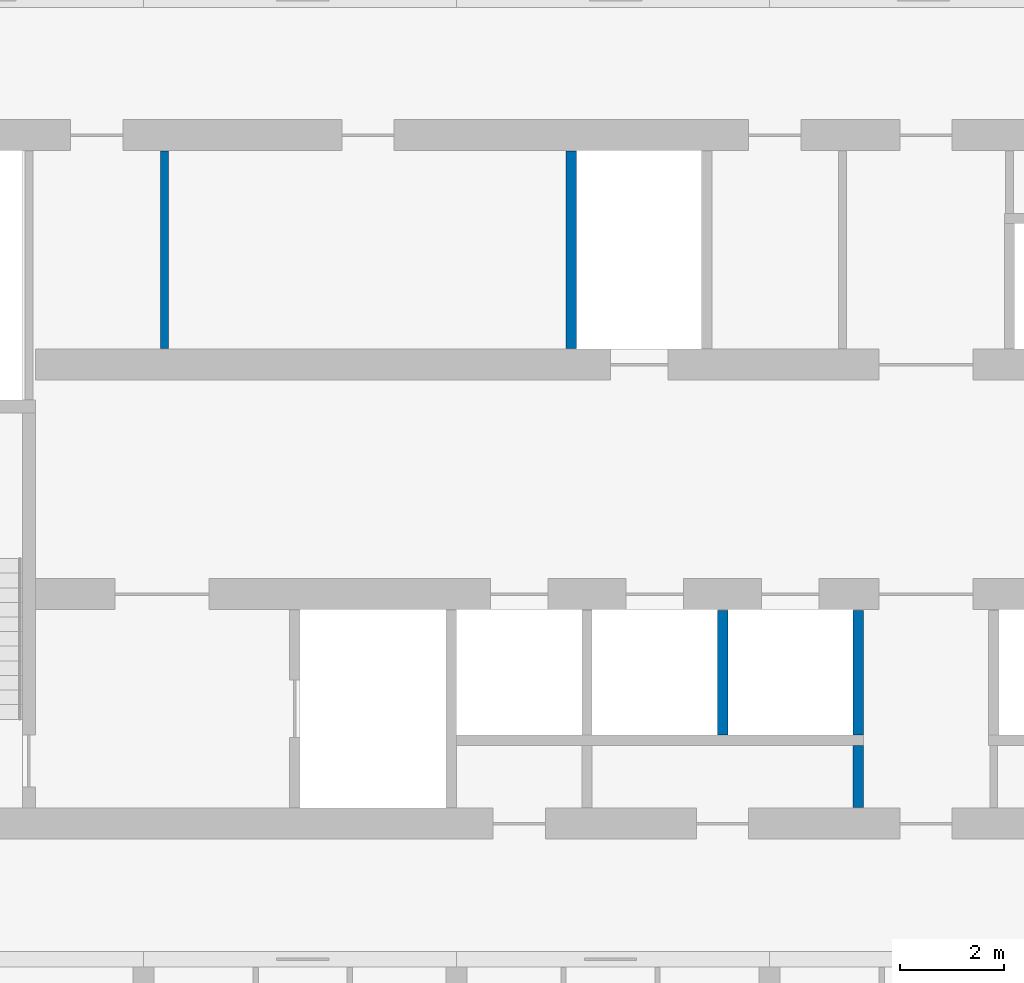
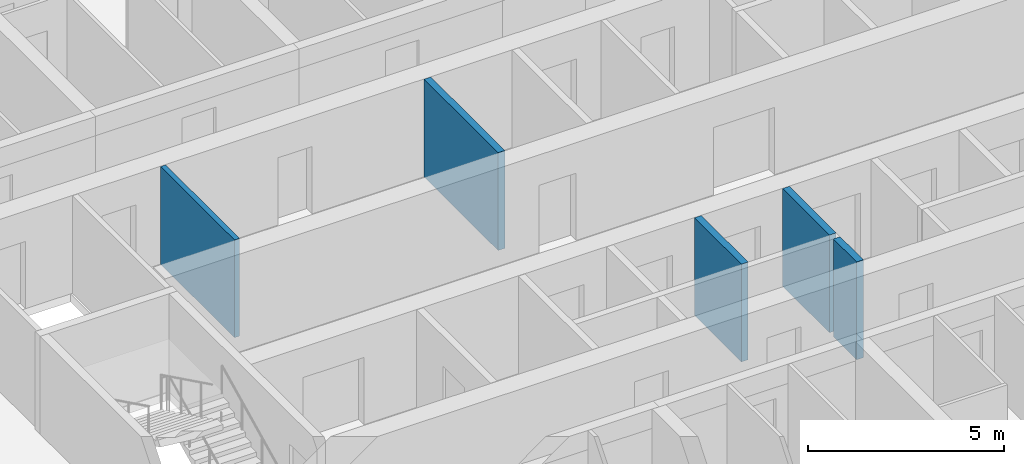
# One storey, part 7 of 23: 5 walls.
"""IFC4 building model written with IfcOpenShell, lengths in metres."""

import ifcopenshell
import ifcopenshell.guid

model = None  # the IFC model being written
_history = None  # IfcOwnerHistory: only IFC2X3 demands one
_inside = {}  # id of a spatial element -> (the spatial element, [elements in it])
_under = {}  # id of a project, library or spatial element -> (it, [spatial elements below it])
_declared = {}  # id of a project -> (the project, [libraries it declares])
_typed = {}  # id of a type object -> (the type object, [elements of that type])
_made_of = {}  # id of a material, layer set ... -> (it, [elements and type objects made of it])


def new_model(schema):
    """Start an empty IFC model of exactly this schema.

    Asked for "IFC4X3", IfcOpenShell would pick the latest addendum, in which some entities
    have other attributes; the version numbers below select the first issue.
    IFC2X3 requires an IfcOwnerHistory on every rooted entity: one is made here for all.
    """
    global model, _history
    if schema == "IFC4X3":
        model = ifcopenshell.file(schema_version=(4, 3, 0, 0))
    else:
        model = ifcopenshell.file(schema=schema)
    _inside.clear()
    _under.clear()
    _declared.clear()
    _typed.clear()
    _made_of.clear()
    _history = None
    if model.schema == "IFC2X3":
        org = make("IfcOrganization", Name="unknown")
        user = make(
            "IfcPersonAndOrganization",
            ThePerson=make("IfcPerson", FamilyName="unknown"),
            TheOrganization=org,
        )
        app = make(
            "IfcApplication",
            ApplicationDeveloper=org,
            Version="unknown",
            ApplicationFullName="unknown",
            ApplicationIdentifier="unknown",
        )
        _history = make(
            "IfcOwnerHistory",
            OwningUser=user,
            OwningApplication=app,
            ChangeAction="ADDED",
            CreationDate=0,
        )
    return model


def make(cls, **values):
    """One entity of the class cls with the attributes given. An attribute that is None is left unset."""
    return model.create_entity(
        cls, **{name: value for name, value in values.items() if value is not None}
    )


def rooted(cls, **values):
    """An entity with a GlobalId (a new one), such as an element, a storey or a relation."""
    return make(cls, GlobalId=ifcopenshell.guid.new(), OwnerHistory=_history, **values)


def si_unit(unit_type, name, prefix=None):
    """IfcSIUnit, for example si_unit("LENGTHUNIT", "METRE", prefix="MILLI")."""
    return make("IfcSIUnit", UnitType=unit_type, Prefix=prefix, Name=name)


def assignment(units):
    """IfcUnitAssignment: the units of a project."""
    return None if units is None else make("IfcUnitAssignment", Units=units)


def point(xyz):
    """IfcCartesianPoint."""
    return None if xyz is None else make("IfcCartesianPoint", Coordinates=xyz)


def direction(xyz):
    """IfcDirection."""
    return None if xyz is None else make("IfcDirection", DirectionRatios=xyz)


def frame(location, z_axis=None, x_axis=None):
    """IfcAxis2Placement3D, a coordinate frame: its origin and axes. An axis left out is left unset."""
    return make(
        "IfcAxis2Placement3D",
        Location=point(location),
        Axis=direction(z_axis),
        RefDirection=direction(x_axis),
    )


def frame_2d(location, x_axis=None):
    """IfcAxis2Placement2D, a coordinate frame in the plane: its origin and x axis."""
    return make(
        "IfcAxis2Placement2D", Location=point(location), RefDirection=direction(x_axis)
    )


def origin():
    """The frame at (0, 0, 0) with its axes left unset."""
    return frame((0.0, 0.0, 0.0))


def place(relative_to, where):
    """IfcLocalPlacement: puts the frame where relative to a parent placement (None: the world)."""
    return make(
        "IfcLocalPlacement", PlacementRelTo=relative_to, RelativePlacement=where
    )


def context(
    kind, dimensions, precision=None, world=None, true_north=None, identifier=None
):
    """IfcGeometricRepresentationContext, for example the 3D "Model" context."""
    return make(
        "IfcGeometricRepresentationContext",
        ContextIdentifier=identifier,
        ContextType=kind,
        CoordinateSpaceDimension=dimensions,
        Precision=precision,
        WorldCoordinateSystem=world,
        TrueNorth=true_north,
    )


def subcontext(parent, identifier, kind, view, scale=None):
    """IfcGeometricRepresentationSubContext, for example "Body" below "Model"."""
    return make(
        "IfcGeometricRepresentationSubContext",
        ContextIdentifier=identifier,
        ContextType=kind,
        ParentContext=parent,
        TargetScale=scale,
        TargetView=view,
    )


def project(units=None, contexts=None):
    """IfcProject with its units and contexts."""
    return rooted(
        "IfcProject",
        Name="project",
        RepresentationContexts=contexts,
        UnitsInContext=assignment(units),
    )


def spatial(cls, under=None, at=None, **own):
    """A site, building, storey or space (cls), placed at a placement, below another one or the project."""
    s = rooted(cls, ObjectPlacement=at, **own)
    if under is not None:
        _under.setdefault(under.id(), (under, []))[1].append(s)
    return s


def profile(cls, at=None, kind="AREA", **sizes):
    """A parametric profile (cls). Its sizes go by their IFC names, for example OverallWidth=200.0."""
    return make(cls, ProfileType=kind, Position=at, **sizes)


def rectangle(**sizes):
    """IfcRectangleProfileDef."""
    return profile("IfcRectangleProfileDef", **sizes)


def extrude(swept, where, along, depth):
    """IfcExtrudedAreaSolid: the profile swept, set in the frame where, extruded along a direction by depth."""
    return make(
        "IfcExtrudedAreaSolid",
        SweptArea=swept,
        Position=where,
        ExtrudedDirection=direction(along),
        Depth=depth,
    )


def shape(context_of_items, identifier, shape_type, items):
    """IfcShapeRepresentation: the items that make up one representation, for example the "Body"."""
    return make(
        "IfcShapeRepresentation",
        ContextOfItems=context_of_items,
        RepresentationIdentifier=identifier,
        RepresentationType=shape_type,
        Items=items,
    )


def material(Name=None, Category=None):
    """IfcMaterial."""
    return make("IfcMaterial", Name=Name, Category=Category)


def layer(
    of_material, thickness, ventilated=None, Name=None, Category=None, Priority=None
):
    """IfcMaterialLayer: one layer of a wall or slab, of a material (None: an air gap)."""
    return make(
        "IfcMaterialLayer",
        Material=of_material,
        LayerThickness=thickness,
        IsVentilated=ventilated,
        Name=Name,
        Category=Category,
        Priority=Priority,
    )


def layer_set(layers, Name=None):
    """IfcMaterialLayerSet."""
    return make("IfcMaterialLayerSet", MaterialLayers=layers, LayerSetName=Name)


def made_of(thing, what):
    """Note that an element or type object is made of a material, layer set ...; save() writes the relation."""
    if what is not None:
        _made_of.setdefault(what.id(), (what, []))[1].append(thing)
    return thing


def type_object(cls, material=None, **own):
    """A type object (cls), such as IfcWallType, which elements share."""
    return made_of(rooted(cls, **own), material)


def element(
    cls,
    number,
    at=None,
    inside=None,
    cuts=None,
    type_object=None,
    material=None,
    context=None,
    identifier="Body",
    shape_type=None,
    held_by="IfcProductDefinitionShape",
    body=None,
    shapes=None,
    **own,
):
    """One element of the class cls, such as IfcWall. Its Tag is "e" and its number.

    at: its placement. inside: the storey or other place that contains it. cuts: it is an
    opening in that element (IfcRelVoidsElement). A single representation is given by context,
    identifier, shape_type and body (its items); several are given by shapes. held_by: the class
    of the entity that holds the representations. save() writes the other relations.
    """
    e = rooted(cls, Tag="e%d" % number, ObjectPlacement=at, **own)
    if body is not None:
        shapes = [shape(context, identifier, shape_type, body)]
    if shapes is not None:
        e.Representation = make(held_by, Representations=shapes)
    if inside is not None:
        _inside.setdefault(inside.id(), (inside, []))[1].append(e)
    if cuts is not None:
        rooted(
            "IfcRelVoidsElement", RelatingBuildingElement=cuts, RelatedOpeningElement=e
        )
    if type_object is not None:
        _typed.setdefault(type_object.id(), (type_object, []))[1].append(e)
    return made_of(e, material)


def aggregate(whole, parts):
    """IfcRelAggregates: a whole, such as a stair, and the parts it consists of."""
    return rooted("IfcRelAggregates", RelatingObject=whole, RelatedObjects=parts)


def save(model, path):
    """Write the relations noted so far, then the file.

    IfcRelAggregates (storeys below a building ...), IfcRelContainedInSpatialStructure (elements
    in a storey), IfcRelDefinesByType, IfcRelAssociatesMaterial and IfcRelDeclares: one each for
    every whole, place, type object, material and project.
    """
    for whole, parts in _under.values():
        aggregate(whole, parts)
    for where, things in _inside.values():
        rooted(
            "IfcRelContainedInSpatialStructure",
            RelatedElements=things,
            RelatingStructure=where,
        )
    for kind, things in _typed.values():
        rooted("IfcRelDefinesByType", RelatedObjects=things, RelatingType=kind)
    for what, things in _made_of.values():
        rooted("IfcRelAssociatesMaterial", RelatedObjects=things, RelatingMaterial=what)
    for by, libraries in _declared.values():
        rooted("IfcRelDeclares", RelatingContext=by, RelatedDefinitions=libraries)
    model.write(path)


model = new_model("IFC4")

# Units and contexts
model_context = context("Model", 3, precision=1e-05, world=origin(), true_north=direction((0.0, 1.0)))
body_context = subcontext(model_context, "Body", "Model", "MODEL_VIEW")
ifc_project = project(units=[si_unit("LENGTHUNIT", "METRE"), si_unit("AREAUNIT", "SQUARE_METRE"), si_unit("VOLUMEUNIT", "CUBIC_METRE"), si_unit("PLANEANGLEUNIT", "RADIAN"), si_unit("MASSUNIT", "GRAM", prefix="KILO")], contexts=[model_context])

# Site, building, storey
site_placement = place(None, origin())
site = spatial("IfcSite", under=ifc_project, at=site_placement, CompositionType="ELEMENT")
building_placement = place(site_placement, origin())
building = spatial("IfcBuilding", under=site, at=building_placement, Name="Poui Terraces", CompositionType="ELEMENT")
storey_placement = place(building_placement, frame((0.0, 0.0, 23.39990234375)))
storey = spatial("IfcBuildingStorey", under=building, at=storey_placement, Name="L05", CompositionType="ELEMENT", Elevation=23.39990234375)

# Walls
ifc_material_1 = material(Name="Plasterboard partition")
ifc_layer_1 = layer(ifc_material_1, 0.14990234375)
ifc_layer_set_1 = layer_set([ifc_layer_1], Name="Plasterboard partition")
wall_type_1 = type_object("IfcWallType", Name="PARTITION WALL 150", PredefinedType="PARTITIONING", material=ifc_layer_set_1)
wall_1_placement = place(storey_placement, frame((36.39990234375, 23.7099609375, 0.0), z_axis=(0.0, 0.0, 1.0), x_axis=(0.0, 1.0, 0.0)))
element("IfcWall", 1, at=wall_1_placement, inside=storey, type_object=wall_type_1, Name="PARTITION WALL 150", PredefinedType="PARTITIONING", context=body_context, shape_type="SweptSolid", body=[
    extrude(rectangle(XDim=3.780029296875, YDim=0.14990234375, at=frame_2d((1.89013671875, 0.0))), origin(), (0.0, 0.0, 1.0), 3.050048828125),
])
ifc_material_2 = material(Name="Fire-rated masonry wall", Category="masonry")
ifc_layer_2 = layer(ifc_material_2, 0.199951171875)
ifc_layer_set_2 = layer_set([ifc_layer_2], Name="Fire-rated masonry wall")
wall_type_2 = type_object("IfcWallType", Name="PLANT ROOM WALL 200", PredefinedType="PARTITIONING", material=ifc_layer_set_2)
wall_2_placement = place(storey_placement, frame((49.699951171875, 14.909912109375, 0.0), z_axis=(0.0, 0.0, 1.0), x_axis=(0.0, 1.0, 0.0)))
element("IfcWall", 2, at=wall_2_placement, inside=storey, type_object=wall_type_2, Name="PLANT ROOM WALL 200", PredefinedType="PARTITIONING", context=body_context, shape_type="SweptSolid", body=[
    extrude(rectangle(XDim=1.190185546875, YDim=0.199951171875, at=frame_2d((0.59521484375, 0.0))), origin(), (0.0, 0.0, 1.0), 3.050048828125),
])
ifc_material_3 = material(Name="Fire-rated masonry shaft wall", Category="masonry")
ifc_layer_3 = layer(ifc_material_3, 0.199951171875)
ifc_layer_set_3 = layer_set([ifc_layer_3], Name="Fire-rated masonry shaft wall")
wall_type_3 = type_object("IfcWallType", Name="SHAFT WALL 200", PredefinedType="PARTITIONING", material=ifc_layer_set_3)
wall_3_placement = place(storey_placement, frame((44.199951171875, 23.7099609375, 0.0), z_axis=(0.0, 0.0, 1.0), x_axis=(0.0, 1.0, 0.0)))
element("IfcWall", 3, at=wall_3_placement, inside=storey, type_object=wall_type_3, Name="SHAFT WALL 200", PredefinedType="PARTITIONING", context=body_context, shape_type="SweptSolid", body=[
    extrude(rectangle(XDim=3.780029296875, YDim=0.199951171875, at=frame_2d((1.89013671875, 0.0))), origin(), (0.0, 0.0, 1.0), 3.050048828125),
])
for number, where, z_axis, x_axis, name in (
    (4, (47.10009765625, 16.300048828125, 0.0), (0.0, 0.0, 1.0), (0.0, 1.0, 0.0), "SHAFT WALL 200"),
    (5, (49.699951171875, 16.300048828125, 0.0), (0.0, 0.0, 1.0), (0.0, 1.0, 0.0), "SHAFT WALL 200"),
):
    element("IfcWall", number, at=place(storey_placement, frame(where, z_axis=z_axis, x_axis=x_axis)), inside=storey, type_object=wall_type_3, Name=name, PredefinedType="PARTITIONING", context=body_context, shape_type="SweptSolid", body=[
        extrude(rectangle(XDim=2.389892578125, YDim=0.199951171875, at=frame_2d((1.19482421875, 0.0))), origin(), (0.0, 0.0, 1.0), 3.050048828125),
    ])

save(model, "model.ifc")
